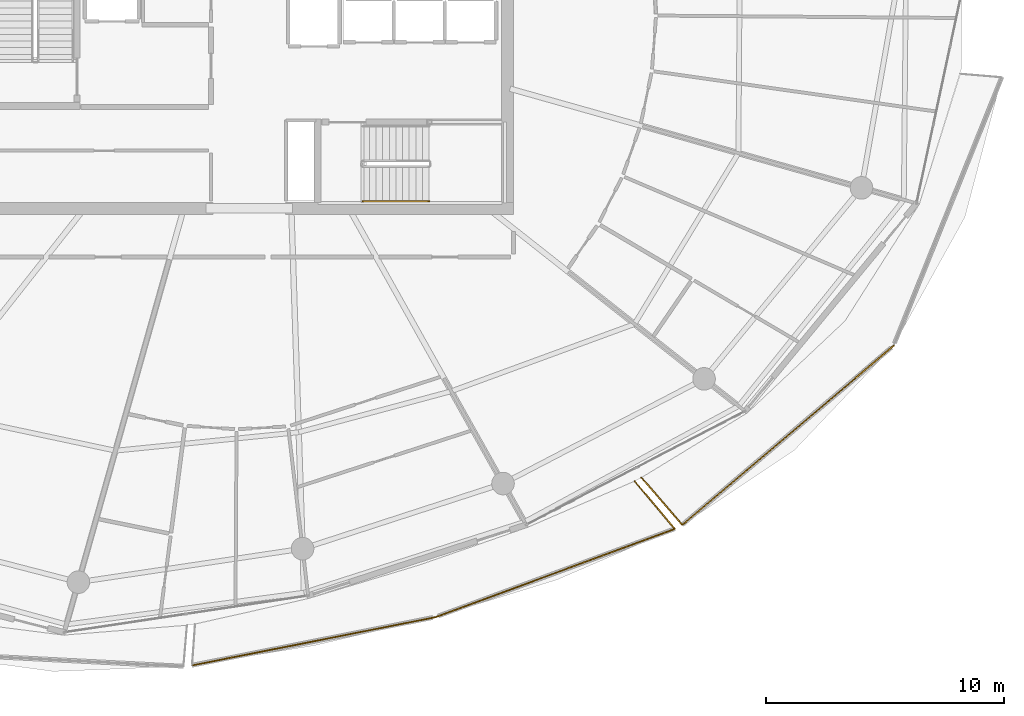
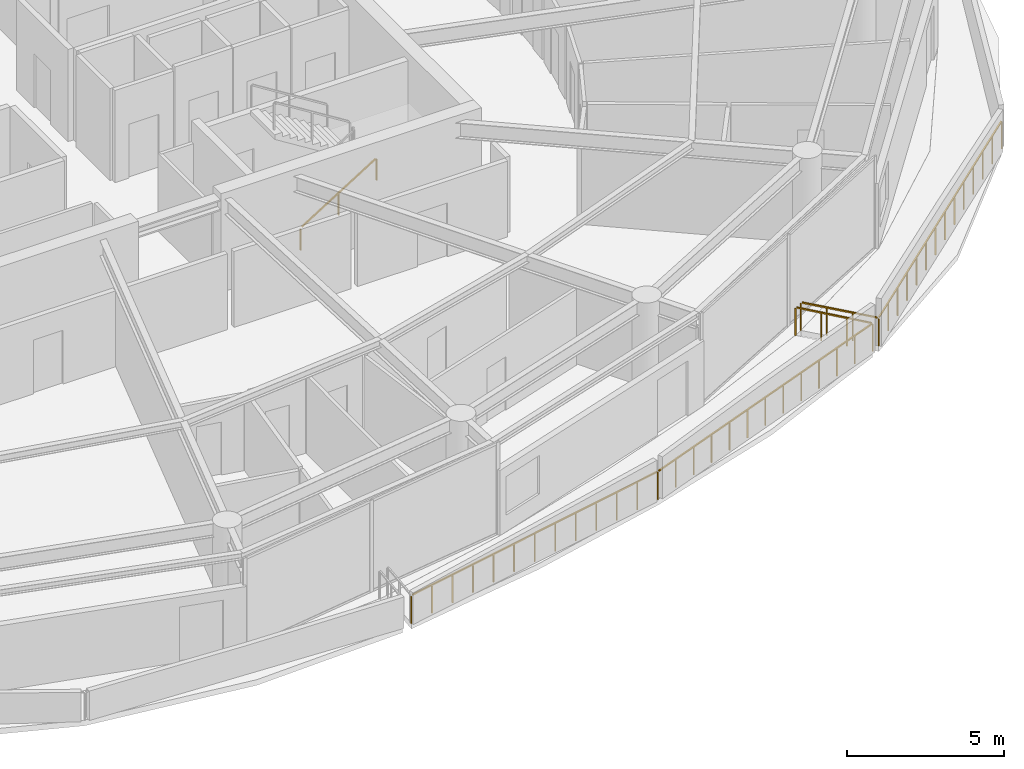
# One storey, part 25 of 29: 6 railings.
"""IFC4 building model written with IfcOpenShell, lengths in metres."""

import ifcopenshell
import ifcopenshell.guid

model = None  # the IFC model being written
_history = None  # IfcOwnerHistory: only IFC2X3 demands one
_inside = {}  # id of a spatial element -> (the spatial element, [elements in it])
_under = {}  # id of a project, library or spatial element -> (it, [spatial elements below it])
_declared = {}  # id of a project -> (the project, [libraries it declares])
_typed = {}  # id of a type object -> (the type object, [elements of that type])
_made_of = {}  # id of a material, layer set ... -> (it, [elements and type objects made of it])


def new_model(schema):
    """Start an empty IFC model of exactly this schema.

    Asked for "IFC4X3", IfcOpenShell would pick the latest addendum, in which some entities
    have other attributes; the version numbers below select the first issue.
    IFC2X3 requires an IfcOwnerHistory on every rooted entity: one is made here for all.
    """
    global model, _history
    if schema == "IFC4X3":
        model = ifcopenshell.file(schema_version=(4, 3, 0, 0))
    else:
        model = ifcopenshell.file(schema=schema)
    _inside.clear()
    _under.clear()
    _declared.clear()
    _typed.clear()
    _made_of.clear()
    _history = None
    if model.schema == "IFC2X3":
        org = make("IfcOrganization", Name="unknown")
        user = make(
            "IfcPersonAndOrganization",
            ThePerson=make("IfcPerson", FamilyName="unknown"),
            TheOrganization=org,
        )
        app = make(
            "IfcApplication",
            ApplicationDeveloper=org,
            Version="unknown",
            ApplicationFullName="unknown",
            ApplicationIdentifier="unknown",
        )
        _history = make(
            "IfcOwnerHistory",
            OwningUser=user,
            OwningApplication=app,
            ChangeAction="ADDED",
            CreationDate=0,
        )
    return model


def make(cls, **values):
    """One entity of the class cls with the attributes given. An attribute that is None is left unset."""
    return model.create_entity(
        cls, **{name: value for name, value in values.items() if value is not None}
    )


def rooted(cls, **values):
    """An entity with a GlobalId (a new one), such as an element, a storey or a relation."""
    return make(cls, GlobalId=ifcopenshell.guid.new(), OwnerHistory=_history, **values)


def si_unit(unit_type, name, prefix=None):
    """IfcSIUnit, for example si_unit("LENGTHUNIT", "METRE", prefix="MILLI")."""
    return make("IfcSIUnit", UnitType=unit_type, Prefix=prefix, Name=name)


def assignment(units):
    """IfcUnitAssignment: the units of a project."""
    return None if units is None else make("IfcUnitAssignment", Units=units)


def point(xyz):
    """IfcCartesianPoint."""
    return None if xyz is None else make("IfcCartesianPoint", Coordinates=xyz)


def direction(xyz):
    """IfcDirection."""
    return None if xyz is None else make("IfcDirection", DirectionRatios=xyz)


def frame(location, z_axis=None, x_axis=None):
    """IfcAxis2Placement3D, a coordinate frame: its origin and axes. An axis left out is left unset."""
    return make(
        "IfcAxis2Placement3D",
        Location=point(location),
        Axis=direction(z_axis),
        RefDirection=direction(x_axis),
    )


def frame_2d(location, x_axis=None):
    """IfcAxis2Placement2D, a coordinate frame in the plane: its origin and x axis."""
    return make(
        "IfcAxis2Placement2D", Location=point(location), RefDirection=direction(x_axis)
    )


def origin():
    """The frame at (0, 0, 0) with its axes left unset."""
    return frame((0.0, 0.0, 0.0))


def origin_2d():
    """The frame at (0, 0) in the plane with its x axis left unset."""
    return frame_2d((0.0, 0.0))


def place(relative_to, where):
    """IfcLocalPlacement: puts the frame where relative to a parent placement (None: the world)."""
    return make(
        "IfcLocalPlacement", PlacementRelTo=relative_to, RelativePlacement=where
    )


def context(
    kind, dimensions, precision=None, world=None, true_north=None, identifier=None
):
    """IfcGeometricRepresentationContext, for example the 3D "Model" context."""
    return make(
        "IfcGeometricRepresentationContext",
        ContextIdentifier=identifier,
        ContextType=kind,
        CoordinateSpaceDimension=dimensions,
        Precision=precision,
        WorldCoordinateSystem=world,
        TrueNorth=true_north,
    )


def subcontext(parent, identifier, kind, view, scale=None):
    """IfcGeometricRepresentationSubContext, for example "Body" below "Model"."""
    return make(
        "IfcGeometricRepresentationSubContext",
        ContextIdentifier=identifier,
        ContextType=kind,
        ParentContext=parent,
        TargetScale=scale,
        TargetView=view,
    )


def project(units=None, contexts=None):
    """IfcProject with its units and contexts."""
    return rooted(
        "IfcProject",
        Name="project",
        RepresentationContexts=contexts,
        UnitsInContext=assignment(units),
    )


def spatial(cls, under=None, at=None, **own):
    """A site, building, storey or space (cls), placed at a placement, below another one or the project."""
    s = rooted(cls, ObjectPlacement=at, **own)
    if under is not None:
        _under.setdefault(under.id(), (under, []))[1].append(s)
    return s


def profile(cls, at=None, kind="AREA", **sizes):
    """A parametric profile (cls). Its sizes go by their IFC names, for example OverallWidth=200.0."""
    return make(cls, ProfileType=kind, Position=at, **sizes)


def rectangle(**sizes):
    """IfcRectangleProfileDef."""
    return profile("IfcRectangleProfileDef", **sizes)


def extrude(swept, where, along, depth):
    """IfcExtrudedAreaSolid: the profile swept, set in the frame where, extruded along a direction by depth."""
    return make(
        "IfcExtrudedAreaSolid",
        SweptArea=swept,
        Position=where,
        ExtrudedDirection=direction(along),
        Depth=depth,
    )


def shape(context_of_items, identifier, shape_type, items):
    """IfcShapeRepresentation: the items that make up one representation, for example the "Body"."""
    return make(
        "IfcShapeRepresentation",
        ContextOfItems=context_of_items,
        RepresentationIdentifier=identifier,
        RepresentationType=shape_type,
        Items=items,
    )


def material(Name=None, Category=None):
    """IfcMaterial."""
    return make("IfcMaterial", Name=Name, Category=Category)


def made_of(thing, what):
    """Note that an element or type object is made of a material, layer set ...; save() writes the relation."""
    if what is not None:
        _made_of.setdefault(what.id(), (what, []))[1].append(thing)
    return thing


def type_object(cls, material=None, **own):
    """A type object (cls), such as IfcWallType, which elements share."""
    return made_of(rooted(cls, **own), material)


def element(
    cls,
    number,
    at=None,
    inside=None,
    cuts=None,
    type_object=None,
    material=None,
    context=None,
    identifier="Body",
    shape_type=None,
    held_by="IfcProductDefinitionShape",
    body=None,
    shapes=None,
    **own,
):
    """One element of the class cls, such as IfcWall. Its Tag is "e" and its number.

    at: its placement. inside: the storey or other place that contains it. cuts: it is an
    opening in that element (IfcRelVoidsElement). A single representation is given by context,
    identifier, shape_type and body (its items); several are given by shapes. held_by: the class
    of the entity that holds the representations. save() writes the other relations.
    """
    e = rooted(cls, Tag="e%d" % number, ObjectPlacement=at, **own)
    if body is not None:
        shapes = [shape(context, identifier, shape_type, body)]
    if shapes is not None:
        e.Representation = make(held_by, Representations=shapes)
    if inside is not None:
        _inside.setdefault(inside.id(), (inside, []))[1].append(e)
    if cuts is not None:
        rooted(
            "IfcRelVoidsElement", RelatingBuildingElement=cuts, RelatedOpeningElement=e
        )
    if type_object is not None:
        _typed.setdefault(type_object.id(), (type_object, []))[1].append(e)
    return made_of(e, material)


def aggregate(whole, parts):
    """IfcRelAggregates: a whole, such as a stair, and the parts it consists of."""
    return rooted("IfcRelAggregates", RelatingObject=whole, RelatedObjects=parts)


def save(model, path):
    """Write the relations noted so far, then the file.

    IfcRelAggregates (storeys below a building ...), IfcRelContainedInSpatialStructure (elements
    in a storey), IfcRelDefinesByType, IfcRelAssociatesMaterial and IfcRelDeclares: one each for
    every whole, place, type object, material and project.
    """
    for whole, parts in _under.values():
        aggregate(whole, parts)
    for where, things in _inside.values():
        rooted(
            "IfcRelContainedInSpatialStructure",
            RelatedElements=things,
            RelatingStructure=where,
        )
    for kind, things in _typed.values():
        rooted("IfcRelDefinesByType", RelatedObjects=things, RelatingType=kind)
    for what, things in _made_of.values():
        rooted("IfcRelAssociatesMaterial", RelatedObjects=things, RelatingMaterial=what)
    for by, libraries in _declared.values():
        rooted("IfcRelDeclares", RelatingContext=by, RelatedDefinitions=libraries)
    model.write(path)


model = new_model("IFC4")

# Units and contexts
model_context = context("Model", 3, precision=1e-05, world=origin(), true_north=direction((0.0, 1.0)))
body_context = subcontext(model_context, "Body", "Model", "MODEL_VIEW")
ifc_project = project(units=[si_unit("LENGTHUNIT", "METRE"), si_unit("AREAUNIT", "SQUARE_METRE"), si_unit("VOLUMEUNIT", "CUBIC_METRE"), si_unit("PLANEANGLEUNIT", "RADIAN"), si_unit("MASSUNIT", "GRAM", prefix="KILO")], contexts=[model_context])

# Site, building, storey
site_placement = place(None, origin())
site = spatial("IfcSite", under=ifc_project, at=site_placement, CompositionType="ELEMENT")
building_placement = place(site_placement, origin())
building = spatial("IfcBuilding", under=site, at=building_placement, Name="Kazma Halo Residences", CompositionType="ELEMENT")
storey_placement = place(building_placement, frame((0.0, 0.0, 286.75)))
storey = spatial("IfcBuildingStorey", under=building, at=storey_placement, Name="L72", CompositionType="ELEMENT", Elevation=286.75)

# Railings
ifc_material_1 = material(Name="Aluminium AW-6063 T6 Brushed Cap Rail", Category="aluminium")
railing_type_1 = type_object("IfcRailingType", Name="RLG-BAL-CAP-1120", PredefinedType="BALUSTRADE", material=ifc_material_1)
railing_1_placement = place(storey_placement, frame((46.005615234375, 14.513916015625, 0.0)))
element("IfcRailing", 1, at=railing_1_placement, inside=storey, type_object=railing_type_1, Name="L72 SSE wave balcony guard 2", PredefinedType="BALUSTRADE", context=body_context, shape_type="SweptSolid", body=[
    extrude(rectangle(XDim=0.050048828125, YDim=0.050048828125, at=origin_2d()), frame((0.041748046875, 0.00830078125, 1.09521484375), z_axis=(0.980921977936, 0.19440183436, 0.0), x_axis=(-0.19440183436, 0.980921977936, 0.0)), (0.0, 0.0, 1.0), 10.378662109375),
    extrude(rectangle(XDim=0.0400390625, YDim=0.0400390625, at=origin_2d()), origin(), (0.0, 0.0, 1.0), 1.05810546875),
    extrude(rectangle(XDim=0.0400390625, YDim=0.0400390625, at=origin_2d()), frame((0.85546875, 0.16943359375, 0.0)), (0.0, 0.0, 1.0), 1.05810546875),
    extrude(rectangle(XDim=0.0400390625, YDim=0.0400390625, at=origin_2d()), frame((1.710693359375, 0.339111328125, 0.0)), (0.0, 0.0, 1.0), 1.05810546875),
    extrude(rectangle(XDim=0.0400390625, YDim=0.0400390625, at=origin_2d()), frame((2.56591796875, 0.508544921875, 0.0)), (0.0, 0.0, 1.0), 1.05810546875),
    extrude(rectangle(XDim=0.0400390625, YDim=0.0400390625, at=origin_2d()), frame((3.42138671875, 0.677978515625, 0.0)), (0.0, 0.0, 1.0), 1.05810546875),
    extrude(rectangle(XDim=0.0400390625, YDim=0.0400390625, at=origin_2d()), frame((4.27685546875, 0.84765625, 0.0)), (0.0, 0.0, 1.0), 1.05810546875),
    extrude(rectangle(XDim=0.0400390625, YDim=0.0400390625, at=origin_2d()), frame((5.132080078125, 1.01708984375, 0.0)), (0.0, 0.0, 1.0), 1.05810546875),
    extrude(rectangle(XDim=0.0400390625, YDim=0.0400390625, at=origin_2d()), frame((5.9873046875, 1.1865234375, 0.0)), (0.0, 0.0, 1.0), 1.05810546875),
    extrude(rectangle(XDim=0.0400390625, YDim=0.0400390625, at=origin_2d()), frame((6.8427734375, 1.356201171875, 0.0)), (0.0, 0.0, 1.0), 1.05810546875),
    extrude(rectangle(XDim=0.0400390625, YDim=0.0400390625, at=origin_2d()), frame((7.6982421875, 1.525634765625, 0.0)), (0.0, 0.0, 1.0), 1.05810546875),
    extrude(rectangle(XDim=0.0400390625, YDim=0.0400390625, at=origin_2d()), frame((8.553466796875, 1.695068359375, 0.0)), (0.0, 0.0, 1.0), 1.05810546875),
    extrude(rectangle(XDim=0.0400390625, YDim=0.0400390625, at=origin_2d()), frame((9.40869140625, 1.86474609375, 0.0)), (0.0, 0.0, 1.0), 1.05810546875),
    extrude(rectangle(XDim=0.0400390625, YDim=0.0400390625, at=origin_2d()), frame((10.26416015625, 2.0341796875, 0.0)), (0.0, 0.0, 1.0), 1.05810546875),
])
railing_2_placement = place(storey_placement, frame((56.269775390625, 16.548095703125, 0.0)))
element("IfcRailing", 2, at=railing_2_placement, inside=storey, type_object=railing_type_1, Name="L72 SSE wave balcony guard 3", PredefinedType="BALUSTRADE", context=body_context, shape_type="SweptSolid", body=[
    extrude(rectangle(XDim=0.050048828125, YDim=0.050048828125, at=origin_2d()), frame((0.039794921875, 0.0146484375, 1.09521484375), z_axis=(0.938192314646, 0.34611440412, 0.0), x_axis=(-0.34611440412, 0.938192314646, 0.0)), (0.0, 0.0, 1.0), 10.645751953125),
    extrude(rectangle(XDim=0.0400390625, YDim=0.0400390625, at=origin_2d()), origin(), (0.0, 0.0, 1.0), 1.05810546875),
    extrude(rectangle(XDim=0.0400390625, YDim=0.0400390625, at=origin_2d()), frame((0.8388671875, 0.3095703125, 0.0)), (0.0, 0.0, 1.0), 1.05810546875),
    extrude(rectangle(XDim=0.0400390625, YDim=0.0400390625, at=origin_2d()), frame((1.677978515625, 0.619140625, 0.0)), (0.0, 0.0, 1.0), 1.05810546875),
    extrude(rectangle(XDim=0.0400390625, YDim=0.0400390625, at=origin_2d()), frame((2.516845703125, 0.928466796875, 0.0)), (0.0, 0.0, 1.0), 1.05810546875),
    extrude(rectangle(XDim=0.0400390625, YDim=0.0400390625, at=origin_2d()), frame((3.35595703125, 1.238037109375, 0.0)), (0.0, 0.0, 1.0), 1.05810546875),
    extrude(rectangle(XDim=0.0400390625, YDim=0.0400390625, at=origin_2d()), frame((4.19482421875, 1.547607421875, 0.0)), (0.0, 0.0, 1.0), 1.05810546875),
    extrude(rectangle(XDim=0.0400390625, YDim=0.0400390625, at=origin_2d()), frame((5.03369140625, 1.85693359375, 0.0)), (0.0, 0.0, 1.0), 1.05810546875),
    extrude(rectangle(XDim=0.0400390625, YDim=0.0400390625, at=origin_2d()), frame((5.872802734375, 2.16650390625, 0.0)), (0.0, 0.0, 1.0), 1.05810546875),
    extrude(rectangle(XDim=0.0400390625, YDim=0.0400390625, at=origin_2d()), frame((6.711669921875, 2.47607421875, 0.0)), (0.0, 0.0, 1.0), 1.05810546875),
    extrude(rectangle(XDim=0.0400390625, YDim=0.0400390625, at=origin_2d()), frame((7.55078125, 2.78564453125, 0.0)), (0.0, 0.0, 1.0), 1.05810546875),
    extrude(rectangle(XDim=0.0400390625, YDim=0.0400390625, at=origin_2d()), frame((8.3896484375, 3.09521484375, 0.0)), (0.0, 0.0, 1.0), 1.05810546875),
    extrude(rectangle(XDim=0.0400390625, YDim=0.0400390625, at=origin_2d()), frame((9.228759765625, 3.404541015625, 0.0)), (0.0, 0.0, 1.0), 1.05810546875),
    extrude(rectangle(XDim=0.0400390625, YDim=0.0400390625, at=origin_2d()), frame((10.067626953125, 3.714111328125, 0.0)), (0.0, 0.0, 1.0), 1.05810546875),
])
railing_3_placement = place(storey_placement, frame((66.33740234375, 20.26220703125, 0.0)))
element("IfcRailing", 3, at=railing_3_placement, inside=storey, type_object=railing_type_1, Name="L72 SSE wave balcony guard 4", PredefinedType="BALUSTRADE", context=body_context, shape_type="SweptSolid", body=[
    extrude(rectangle(XDim=0.050048828125, YDim=0.050048828125, at=origin_2d()), frame((-0.02734375, 0.032470703125, 1.09521484375), z_axis=(-0.644828498892, 0.764327290509, 0.0), x_axis=(-0.764327290509, -0.644828498892, 0.0)), (0.0, 0.0, 1.0), 2.540283203125),
    extrude(rectangle(XDim=0.0400390625, YDim=0.0400390625, at=origin_2d()), origin(), (0.0, 0.0, 1.0), 1.05810546875),
    extrude(rectangle(XDim=0.0400390625, YDim=0.0400390625, at=origin_2d()), frame((-0.564208984375, 0.6689453125, 0.0)), (0.0, 0.0, 1.0), 1.05810546875),
    extrude(rectangle(XDim=0.0400390625, YDim=0.0400390625, at=origin_2d()), frame((-1.128662109375, 1.337646484375, 0.0)), (0.0, 0.0, 1.0), 1.05810546875),
    extrude(rectangle(XDim=0.0400390625, YDim=0.0400390625, at=origin_2d()), frame((-1.69287109375, 2.006591796875, 0.0)), (0.0, 0.0, 1.0), 1.05810546875),
])
railing_4_placement = place(storey_placement, frame((64.93212890625, 22.41845703125, 0.0)))
element("IfcRailing", 4, at=railing_4_placement, inside=storey, type_object=railing_type_1, Name="L72 SE wave balcony guard 1", PredefinedType="BALUSTRADE", context=body_context, shape_type="SweptSolid", body=[
    extrude(rectangle(XDim=0.050048828125, YDim=0.050048828125, at=origin_2d()), frame((0.02783203125, -0.0322265625, 1.09521484375), z_axis=(0.654057200306, -0.756445093002, 0.0), x_axis=(0.756445093002, 0.654057200306, 0.0)), (0.0, 0.0, 1.0), 2.544921875),
    extrude(rectangle(XDim=0.0400390625, YDim=0.0400390625, at=origin_2d()), origin(), (0.0, 0.0, 1.0), 1.05810546875),
    extrude(rectangle(XDim=0.0400390625, YDim=0.0400390625, at=origin_2d()), frame((0.573486328125, -0.6630859375, 0.0)), (0.0, 0.0, 1.0), 1.05810546875),
    extrude(rectangle(XDim=0.0400390625, YDim=0.0400390625, at=origin_2d()), frame((1.146728515625, -1.326416015625, 0.0)), (0.0, 0.0, 1.0), 1.05810546875),
    extrude(rectangle(XDim=0.0400390625, YDim=0.0400390625, at=origin_2d()), frame((1.72021484375, -1.989501953125, 0.0)), (0.0, 0.0, 1.0), 1.05810546875),
])
railing_5_placement = place(storey_placement, frame((66.65234375, 20.428955078125, 0.0)))
element("IfcRailing", 5, at=railing_5_placement, inside=storey, type_object=railing_type_1, Name="L72 SE wave balcony guard 2", PredefinedType="BALUSTRADE", context=body_context, shape_type="SweptSolid", body=[
    extrude(rectangle(XDim=0.050048828125, YDim=0.050048828125, at=origin_2d()), frame((0.032470703125, 0.027587890625, 1.09521484375), z_axis=(0.762726414498, 0.646721282028, 0.0), x_axis=(-0.646721282028, 0.762726414498, 0.0)), (0.0, 0.0, 1.0), 11.570068359375),
    extrude(rectangle(XDim=0.0400390625, YDim=0.0400390625, at=origin_2d()), origin(), (0.0, 0.0, 1.0), 1.05810546875),
    extrude(rectangle(XDim=0.0400390625, YDim=0.0400390625, at=origin_2d()), frame((0.683837890625, 0.579833984375, 0.0)), (0.0, 0.0, 1.0), 1.05810546875),
    extrude(rectangle(XDim=0.0400390625, YDim=0.0400390625, at=origin_2d()), frame((1.36767578125, 1.15966796875, 0.0)), (0.0, 0.0, 1.0), 1.05810546875),
    extrude(rectangle(XDim=0.0400390625, YDim=0.0400390625, at=origin_2d()), frame((2.051513671875, 1.739501953125, 0.0)), (0.0, 0.0, 1.0), 1.05810546875),
    extrude(rectangle(XDim=0.0400390625, YDim=0.0400390625, at=origin_2d()), frame((2.7353515625, 2.3193359375, 0.0)), (0.0, 0.0, 1.0), 1.05810546875),
    extrude(rectangle(XDim=0.0400390625, YDim=0.0400390625, at=origin_2d()), frame((3.419189453125, 2.899169921875, 0.0)), (0.0, 0.0, 1.0), 1.05810546875),
    extrude(rectangle(XDim=0.0400390625, YDim=0.0400390625, at=origin_2d()), frame((4.10302734375, 3.47900390625, 0.0)), (0.0, 0.0, 1.0), 1.05810546875),
    extrude(rectangle(XDim=0.0400390625, YDim=0.0400390625, at=origin_2d()), frame((4.78662109375, 4.05859375, 0.0)), (0.0, 0.0, 1.0), 1.05810546875),
    extrude(rectangle(XDim=0.0400390625, YDim=0.0400390625, at=origin_2d()), frame((5.470458984375, 4.638427734375, 0.0)), (0.0, 0.0, 1.0), 1.05810546875),
    extrude(rectangle(XDim=0.0400390625, YDim=0.0400390625, at=origin_2d()), frame((6.154296875, 5.21826171875, 0.0)), (0.0, 0.0, 1.0), 1.05810546875),
    extrude(rectangle(XDim=0.0400390625, YDim=0.0400390625, at=origin_2d()), frame((6.838134765625, 5.798095703125, 0.0)), (0.0, 0.0, 1.0), 1.05810546875),
    extrude(rectangle(XDim=0.0400390625, YDim=0.0400390625, at=origin_2d()), frame((7.52197265625, 6.3779296875, 0.0)), (0.0, 0.0, 1.0), 1.05810546875),
    extrude(rectangle(XDim=0.0400390625, YDim=0.0400390625, at=origin_2d()), frame((8.205810546875, 6.957763671875, 0.0)), (0.0, 0.0, 1.0), 1.05810546875),
    extrude(rectangle(XDim=0.0400390625, YDim=0.0400390625, at=origin_2d()), frame((8.8896484375, 7.53759765625, 0.0)), (0.0, 0.0, 1.0), 1.05810546875),
])
ifc_material_2 = material(Name="Brushed Stainless Steel", Category="steel")
railing_type_2 = type_object("IfcRailingType", Name="RLG-STAIR-HND-900", PredefinedType="HANDRAIL", material=ifc_material_2)
railing_6_placement = place(storey_placement, frame((53.199951171875, 34.050048828125, 0.175048828125)))
element("IfcRailing", 6, at=railing_6_placement, inside=storey, type_object=railing_type_2, Name="L72 ST-03 stair handrail 1", PredefinedType="HANDRAIL", context=body_context, shape_type="SweptSolid", body=[
    extrude(rectangle(XDim=0.050048828125, YDim=0.050048828125, at=origin_2d()), frame((0.0361328125, 0.0, 0.8974609375), z_axis=(0.848002457836, 0.0, 0.529992293815), x_axis=(0.0, 1.0, 0.0)), (0.0, 0.0, 1.0), 3.216796875),
    extrude(rectangle(XDim=0.0400390625, YDim=0.0400390625, at=origin_2d()), origin(), (0.0, 0.0, 1.0), 0.837890625),
    extrude(rectangle(XDim=0.0400390625, YDim=0.0400390625, at=origin_2d()), frame((1.39990234375, 0.0, 0.875)), (0.0, 0.0, 1.0), 0.837890625),
    extrude(rectangle(XDim=0.0400390625, YDim=0.0400390625, at=origin_2d()), frame((2.800048828125, 0.0, 1.75)), (0.0, 0.0, 1.0), 0.837890625),
])

save(model, "model.ifc")
